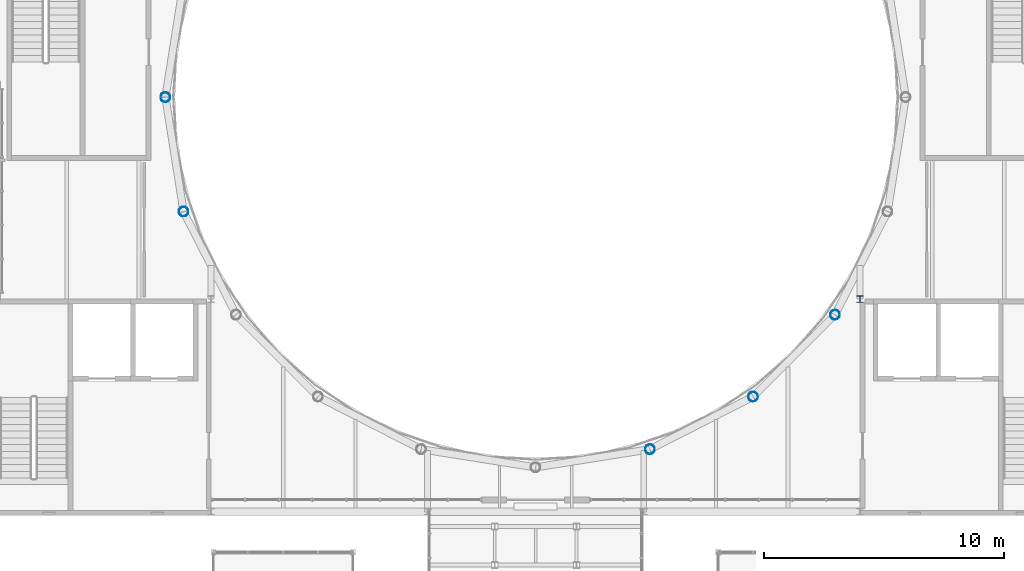
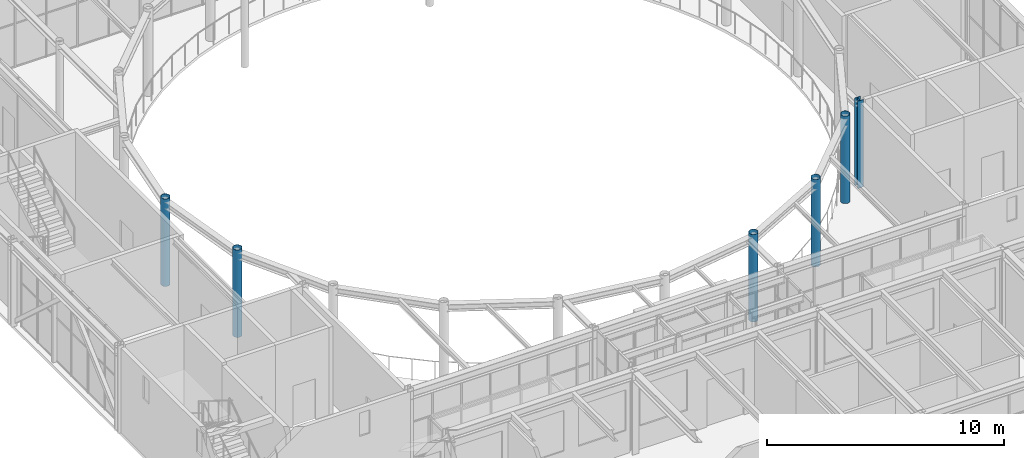
# One storey, part 6 of 70: 6 columns.
"""IFC4 building model written with IfcOpenShell, lengths in metres."""

from ifc_helpers import new_model, si_unit, direction, frame, origin, origin_2d, place, context, subcontext, project, spatial, hollow_circle, i_section, extrude, material, material_profile, profile_set, type_object, element, save


model = new_model("IFC4")

# Units and contexts
model_context = context("Model", 3, precision=1e-05, world=origin(), true_north=direction((0.0, 1.0)))
body_context = subcontext(model_context, "Body", "Model", "MODEL_VIEW")
ifc_project = project(units=[si_unit("LENGTHUNIT", "METRE"), si_unit("AREAUNIT", "SQUARE_METRE"), si_unit("VOLUMEUNIT", "CUBIC_METRE"), si_unit("PLANEANGLEUNIT", "RADIAN"), si_unit("MASSUNIT", "GRAM", prefix="KILO")], contexts=[model_context])

# Site, building, storey
site_placement = place(None, origin())
site = spatial("IfcSite", under=ifc_project, at=site_placement, CompositionType="ELEMENT")
building_placement = place(site_placement, origin())
building = spatial("IfcBuilding", under=site, at=building_placement, Name="Kallimachos Central Library", CompositionType="ELEMENT")
storey_placement = place(building_placement, frame((0.0, 0.0, 18.89990234375)))
storey = spatial("IfcBuildingStorey", under=building, at=storey_placement, Name="L04", CompositionType="ELEMENT", Elevation=18.89990234375)

# Columns
ifc_material_1 = material(Name="Steel S355J2H", Category="steel")
ifc_material_profile_1 = material_profile(ifc_material_1, hollow_circle(Radius=0.203125, WallThickness=0.012451171875, at=origin_2d()), Name="CHS 406.4x12.5")
ifc_profile_set_1 = profile_set([ifc_material_profile_1], Name="Steel S355J2H")
column_type_1 = type_object("IfcColumnType", Name="CHS 406.4x12.5 column", PredefinedType="COLUMN", material=ifc_profile_set_1)
for number, where, z_axis, x_axis, name in (
    (1, (72.60009765625, 104.39990234375, 0.0), (0.0, 0.0, 1.0), (1.0, 0.0, 0.0), "V1-COL-L04-025"),
    (2, (73.353759765625, 99.64111328125, 0.0), (0.0, 0.0, 1.0), (1.0, 0.0, 0.0), "V1-COL-L04-026"),
    (3, (92.7587890625, 89.753662109375, 0.0), (0.0, 0.0, 1.0), (1.0, 0.0, 0.0), "V1-COL-L04-031"),
    (4, (97.052001953125, 91.941162109375, 0.0), (0.0, 0.0, 1.0), (1.0, 0.0, 0.0), "V1-COL-L04-032"),
    (5, (100.458984375, 95.34814453125, 0.0), (0.0, 0.0, 1.0), (1.0, 0.0, 0.0), "V1-COL-L04-033"),
):
    element("IfcColumn", number, at=place(storey_placement, frame(where, z_axis=z_axis, x_axis=x_axis)), inside=storey, type_object=column_type_1, Name=name, PredefinedType="COLUMN", context=body_context, shape_type="SweptSolid", body=[
        extrude(hollow_circle(Radius=0.203125, WallThickness=0.012451171875, at=origin_2d()), origin(), (0.0, 0.0, 1.0), 4.5),
    ])
ifc_material_2 = material(Name="Steel S355J2", Category="steel")
ifc_material_profile_2 = material_profile(ifc_material_2, i_section(OverallWidth=0.280029296875, OverallDepth=0.280029296875, WebThickness=0.010498046875, FlangeThickness=0.01806640625, FilletRadius=0.02392578125, at=origin_2d()), Name="HEB 280")
ifc_profile_set_2 = profile_set([ifc_material_profile_2], Name="Steel S355J2")
column_type_2 = type_object("IfcColumnType", Name="HEB 280 column", PredefinedType="COLUMN", material=ifc_profile_set_2)
column_placement = place(storey_placement, frame((101.5, 96.0, 0.0), z_axis=(0.0, 0.0, 1.0), x_axis=(1.0, 0.0, 0.0)))
element("IfcColumn", 6, at=column_placement, inside=storey, type_object=column_type_2, Name="V1-COL-L04-009", PredefinedType="COLUMN", context=body_context, shape_type="SweptSolid", body=[
    extrude(i_section(OverallWidth=0.280029296875, OverallDepth=0.280029296875, WebThickness=0.010498046875, FlangeThickness=0.01806640625, FilletRadius=0.02392578125, at=origin_2d()), origin(), (0.0, 0.0, 1.0), 4.5),
])

save(model, "model.ifc")
